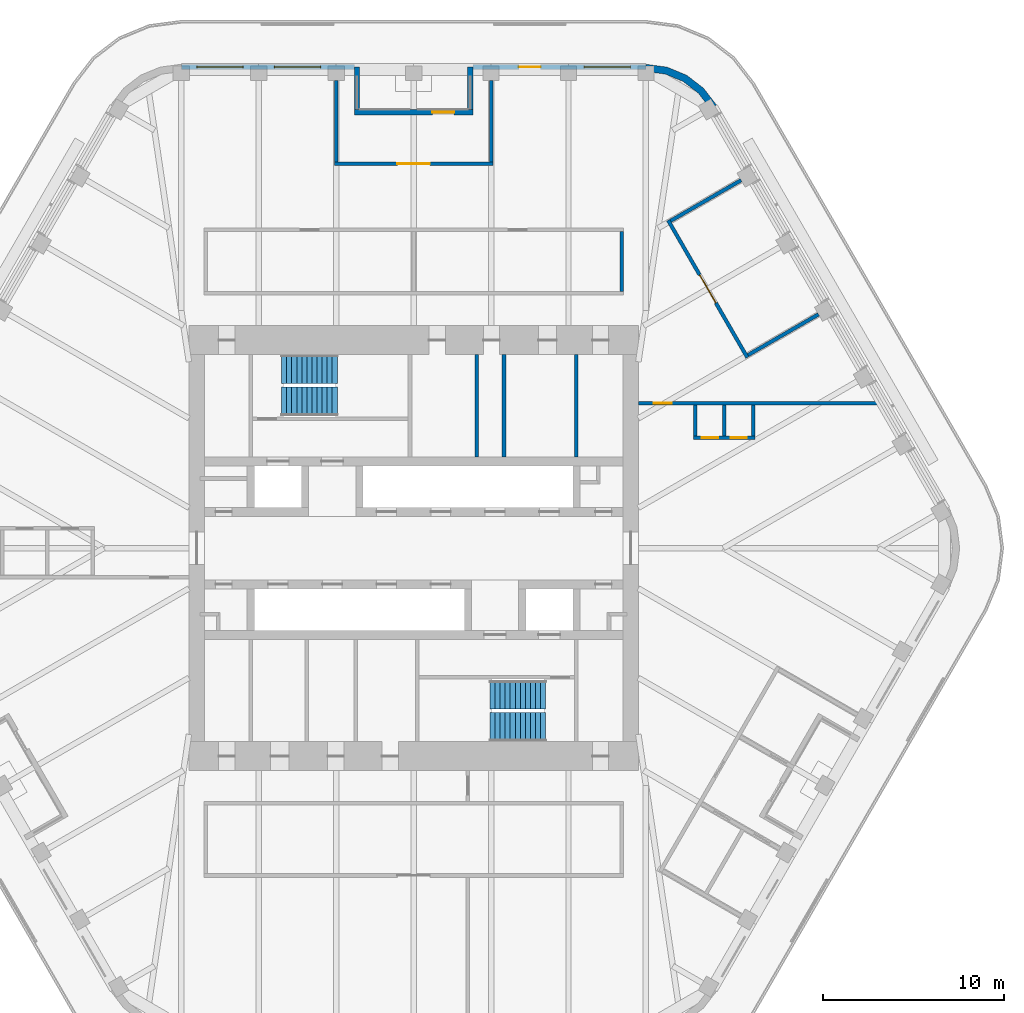
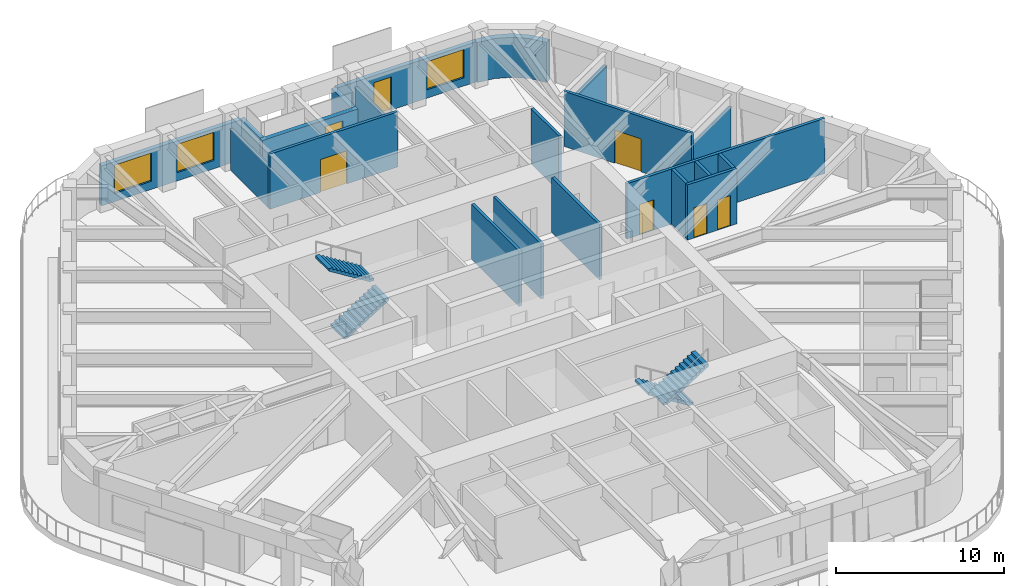
# One storey, part 16 of 19: 21 walls, 7 doors, 4 stair flights, 3 windows, 10 openings, 2 elements without a shape of their own.
"""IFC4 building model written with IfcOpenShell, lengths in metres."""

from ifc_helpers import new_model, si_unit, direction, frame, frame_2d, origin, place, context, subcontext, project, spatial, polyline, rectangle, outline, extrude, material, layer, layer_set, type_object, element, fill, aggregate, save


model = new_model("IFC4")

# Units and contexts
model_context = context("Model", 3, precision=1e-05, world=origin(), true_north=direction((0.0, 1.0)))
body_context = subcontext(model_context, "Body", "Model", "MODEL_VIEW")
ifc_project = project(units=[si_unit("LENGTHUNIT", "METRE"), si_unit("AREAUNIT", "SQUARE_METRE"), si_unit("VOLUMEUNIT", "CUBIC_METRE"), si_unit("PLANEANGLEUNIT", "RADIAN"), si_unit("MASSUNIT", "GRAM", prefix="KILO")], contexts=[model_context])

# Site, building, storey
site_placement = place(None, origin())
site = spatial("IfcSite", under=ifc_project, at=site_placement, CompositionType="ELEMENT")
building_placement = place(site_placement, origin())
building = spatial("IfcBuilding", under=site, at=building_placement, Name="Tarfa Lantern Tower", CompositionType="ELEMENT")
storey_placement = place(building_placement, frame((0.0, 0.0, 361.89990234375)))
storey = spatial("IfcBuildingStorey", under=building, at=storey_placement, Name="L82", CompositionType="ELEMENT", Elevation=361.89990234375)

# Wall, openings, door, window
ifc_material_1 = material(Name="Limestone cladding on blockwork", Category="masonry")
ifc_layer_1 = layer(ifc_material_1, 0.300048828125)
ifc_layer_set_1 = layer_set([ifc_layer_1], Name="EW1 STONE-CLAD WALL 300")
wall_type_1 = type_object("IfcWallType", Name="EW1 STONE-CLAD WALL 300", PredefinedType="SOLIDWALL", material=ifc_layer_set_1)
wall_1_placement = place(storey_placement, frame((12.845947265625, 26.60009765625, 0.0), z_axis=(0.0, 0.0, 1.0), x_axis=(-1.0, 0.0, 0.0)))
wall_1 = element("IfcWall", 1, at=wall_1_placement, inside=storey, type_object=wall_type_1, Name="Stone wall N", PredefinedType="SOLIDWALL", context=body_context, shape_type="SweptSolid", body=[
    extrude(rectangle(XDim=9.56396484375, YDim=0.300048828125, at=frame_2d((4.781982421875, 0.0))), origin(), (0.0, 0.0, 1.0), 2.900146484375),
])
opening_1_placement = place(wall_1_placement, frame((0.865966796875, 0.0, 0.60009765625)))
opening_1 = element("IfcOpeningElement", 2, at=opening_1_placement, cuts=wall_1, Name="Opening W17", PredefinedType="OPENING", context=body_context, shape_type="SweptSolid", body=[
    extrude(rectangle(XDim=2.550048828125, YDim=2.050048828125, at=frame_2d((1.27490234375, 1.02490234375))), frame((0.0, 0.159912109375, 0.0), z_axis=(0.0, -1.0, 0.0), x_axis=(1.0, 0.0, 0.0)), (0.0, 0.0, 1.0), 0.320068359375),
])
opening_2_placement = place(wall_1_placement, frame((5.822998046875, 0.0, 0.0)))
opening_2 = element("IfcOpeningElement", 3, at=opening_2_placement, cuts=wall_1, Name="Opening D38", PredefinedType="OPENING", context=body_context, shape_type="SweptSolid", body=[
    extrude(rectangle(XDim=1.199951171875, YDim=2.39990234375, at=frame_2d((0.60009765625, 1.199951171875))), frame((0.0, 0.159912109375, 0.0), z_axis=(0.0, -1.0, 0.0), x_axis=(1.0, 0.0, 0.0)), (0.0, 0.0, 1.0), 0.320068359375),
])
ifc_material_2 = material(Name="Aluminium framed glazed door", Category="aluminium")
door_type_1 = type_object("IfcDoorType", Name="BE3 BALCONY DOOR 1200x2400", OperationType="SINGLE_SWING_RIGHT", PredefinedType="DOOR", material=ifc_material_2)
door_1_placement = place(opening_2_placement, origin())
door_1 = element("IfcDoor", 4, at=door_1_placement, inside=storey, type_object=door_type_1, Name="Balcony door N", OperationType="SINGLE_SWING_LEFT", OverallHeight=2.39990234375, OverallWidth=1.199951171875, PredefinedType="DOOR", context=body_context, shape_type="SweptSolid", body=[
    extrude(rectangle(XDim=1.199951171875, YDim=2.39990234375, at=frame_2d((0.60009765625, 1.199951171875))), frame((0.0, 0.02490234375, 0.0), z_axis=(0.0, -1.0, 0.0), x_axis=(1.0, 0.0, 0.0)), (0.0, 0.0, 1.0), 0.050048828125),
])
fill(opening_2, door_1)
ifc_material_3 = material(Name="Aluminium frame, double glazed", Category="aluminium")
window_type = type_object("IfcWindowType", Name="W17 FULL-HEIGHT GLAZING 2550x2050", PartitioningType="SINGLE_PANEL", PredefinedType="WINDOW", material=ifc_material_3)
window_1_placement = place(opening_1_placement, origin())
window_1 = element("IfcWindow", 5, at=window_1_placement, inside=storey, type_object=window_type, Name="Window N 1", OverallHeight=2.050048828125, OverallWidth=2.550048828125, PartitioningType="SINGLE_PANEL", PredefinedType="WINDOW", context=body_context, shape_type="SweptSolid", body=[
    extrude(rectangle(XDim=2.550048828125, YDim=2.050048828125, at=frame_2d((1.27490234375, 1.02490234375))), frame((0.0, 0.030029296875, 0.0), z_axis=(0.0, -1.0, 0.0), x_axis=(1.0, 0.0, 0.0)), (0.0, 0.0, 1.0), 0.06005859375),
])
fill(opening_1, window_1)

# Wall, openings, windows
wall_2_placement = place(storey_placement, frame((-3.281982421875, 26.60009765625, 0.0), z_axis=(0.0, 0.0, 1.0), x_axis=(-1.0, 0.0, 0.0)))
wall_2 = element("IfcWall", 6, at=wall_2_placement, inside=storey, type_object=wall_type_1, Name="Stone wall NB", PredefinedType="SOLIDWALL", context=body_context, shape_type="SweptSolid", body=[
    extrude(rectangle(XDim=9.56396484375, YDim=0.300048828125, at=frame_2d((4.781982421875, 0.0))), origin(), (0.0, 0.0, 1.0), 2.900146484375),
])
opening_3_placement = place(wall_2_placement, frame((1.865966796875, 0.0, 0.60009765625)))
opening_3 = element("IfcOpeningElement", 7, at=opening_3_placement, cuts=wall_2, Name="Opening W17", PredefinedType="OPENING", context=body_context, shape_type="SweptSolid", body=[
    extrude(rectangle(XDim=2.550048828125, YDim=2.050048828125, at=frame_2d((1.27490234375, 1.02490234375))), frame((0.0, 0.159912109375, 0.0), z_axis=(0.0, -1.0, 0.0), x_axis=(1.0, 0.0, 0.0)), (0.0, 0.0, 1.0), 0.320068359375),
])
opening_4_placement = place(wall_2_placement, frame((6.14794921875, 0.0, 0.60009765625)))
opening_4 = element("IfcOpeningElement", 8, at=opening_4_placement, cuts=wall_2, Name="Opening W17", PredefinedType="OPENING", context=body_context, shape_type="SweptSolid", body=[
    extrude(rectangle(XDim=2.550048828125, YDim=2.050048828125, at=frame_2d((1.27490234375, 1.02490234375))), frame((0.0, 0.159912109375, 0.0), z_axis=(0.0, -1.0, 0.0), x_axis=(1.0, 0.0, 0.0)), (0.0, 0.0, 1.0), 0.320068359375),
])
window_2_placement = place(opening_3_placement, origin())
window_2 = element("IfcWindow", 9, at=window_2_placement, inside=storey, type_object=window_type, Name="Window NB 1", OverallHeight=2.050048828125, OverallWidth=2.550048828125, PartitioningType="SINGLE_PANEL", PredefinedType="WINDOW", context=body_context, shape_type="SweptSolid", body=[
    extrude(rectangle(XDim=2.550048828125, YDim=2.050048828125, at=frame_2d((1.27490234375, 1.02490234375))), frame((0.0, 0.030029296875, 0.0), z_axis=(0.0, -1.0, 0.0), x_axis=(1.0, 0.0, 0.0)), (0.0, 0.0, 1.0), 0.06005859375),
])
fill(opening_3, window_2)
window_3_placement = place(opening_4_placement, origin())
window_3 = element("IfcWindow", 10, at=window_3_placement, inside=storey, type_object=window_type, Name="Window NB 2", OverallHeight=2.050048828125, OverallWidth=2.550048828125, PartitioningType="SINGLE_PANEL", PredefinedType="WINDOW", context=body_context, shape_type="SweptSolid", body=[
    extrude(rectangle(XDim=2.550048828125, YDim=2.050048828125, at=frame_2d((1.27490234375, 1.02490234375))), frame((0.0, 0.030029296875, 0.0), z_axis=(0.0, -1.0, 0.0), x_axis=(1.0, 0.0, 0.0)), (0.0, 0.0, 1.0), 0.06005859375),
])
fill(opening_4, window_3)

# Walls
for number, where, z_axis, x_axis, name in (
    (11, (3.132080078125, 26.60009765625, 0.0), (0.0, 0.0, 1.0), (0.0, -1.0, 0.0), "Terrace return N 1"),
    (12, (-3.132080078125, 26.60009765625, 0.0), (0.0, 0.0, 1.0), (0.0, -1.0, 0.0), "Terrace return N 2"),
):
    element("IfcWall", number, at=place(storey_placement, frame(where, z_axis=z_axis, x_axis=x_axis)), inside=storey, type_object=wall_type_1, Name=name, PredefinedType="SOLIDWALL", context=body_context, shape_type="SweptSolid", body=[
        extrude(rectangle(XDim=2.35009765625, YDim=0.300048828125, at=frame_2d((1.175048828125, 0.0))), origin(), (0.0, 0.0, 1.0), 2.900146484375),
    ])

# Wall, opening, door
wall_3_placement = place(storey_placement, frame((3.281982421875, 24.10009765625, 0.0), z_axis=(0.0, 0.0, 1.0), x_axis=(-1.0, 0.0, 0.0)))
wall_3 = element("IfcWall", 13, at=wall_3_placement, inside=storey, type_object=wall_type_1, Name="Stone wall NS", PredefinedType="SOLIDWALL", context=body_context, shape_type="SweptSolid", body=[
    extrude(rectangle(XDim=6.56396484375, YDim=0.300048828125, at=frame_2d((3.281982421875, 0.0))), origin(), (0.0, 0.0, 1.0), 2.900146484375),
])
opening_5_placement = place(wall_3_placement, frame((1.041015625, 0.0, 0.0)))
opening_5 = element("IfcOpeningElement", 14, at=opening_5_placement, cuts=wall_3, Name="Opening D39", PredefinedType="OPENING", context=body_context, shape_type="SweptSolid", body=[
    extrude(rectangle(XDim=1.199951171875, YDim=2.39990234375, at=frame_2d((0.60009765625, 1.199951171875))), frame((0.0, 0.159912109375, 0.0), z_axis=(0.0, -1.0, 0.0), x_axis=(1.0, 0.0, 0.0)), (0.0, 0.0, 1.0), 0.320068359375),
])
door_2_placement = place(opening_5_placement, origin())
door_2 = element("IfcDoor", 15, at=door_2_placement, inside=storey, type_object=door_type_1, Name="Balcony door NS", OperationType="SINGLE_SWING_RIGHT", OverallHeight=2.39990234375, OverallWidth=1.199951171875, PredefinedType="DOOR", context=body_context, shape_type="SweptSolid", body=[
    extrude(rectangle(XDim=1.199951171875, YDim=2.39990234375, at=frame_2d((0.60009765625, 1.199951171875))), frame((0.0, 0.02490234375, 0.0), z_axis=(0.0, -1.0, 0.0), x_axis=(1.0, 0.0, 0.0)), (0.0, 0.0, 1.0), 0.050048828125),
])
fill(opening_5, door_2)

# Walls
ifc_layer_2 = layer(ifc_material_1, 0.39990234375)
ifc_layer_set_2 = layer_set([ifc_layer_2], Name="EW2 CURVED STONE CORNER 400")
wall_type_2 = type_object("IfcWallType", Name="EW2 CURVED STONE CORNER 400", PredefinedType="SOLIDWALL", material=ifc_layer_set_2)
wall_4_placement = place(storey_placement, origin())
element("IfcWall", 16, at=wall_4_placement, inside=storey, type_object=wall_type_2, Name="Stone corner NE-N", PredefinedType="SOLIDWALL", context=body_context, shape_type="SweptSolid", body=[
    extrude(outline(polyline([(16.7431640625, 24.5), (16.028076171875, 25.431884765625), (15.095947265625, 26.147216796875), (14.0107421875, 26.5966796875), (12.845947265625, 26.75), (12.845947265625, 26.35009765625), (13.9072265625, 26.210205078125), (14.89599609375, 25.80078125), (15.7451171875, 25.149169921875), (16.396728515625, 24.300048828125), (16.7431640625, 24.5)])), origin(), (0.0, 0.0, 1.0), 2.900146484375),
])
ifc_material_4 = material(Name="Concrete blockwork", Category="masonry")
ifc_layer_3 = layer(ifc_material_4, 0.199951171875)
ifc_layer_set_3 = layer_set([ifc_layer_3], Name="IW1 BLOCKWORK PARTITION 200 EI 120")
wall_type_3 = type_object("IfcWallType", Name="IW1 BLOCKWORK PARTITION 200 EI 120", PredefinedType="PARTITIONING", material=ifc_layer_set_3)
for number, where, z_axis, x_axis, name in (
    (17, (9.0, 5.050048828125, 0.0), (0.0, 0.0, 1.0), (0.0, 1.0, 0.0), "Core partition"),
    (18, (3.5, 5.050048828125, 0.0), (0.0, 0.0, 1.0), (0.0, 1.0, 0.0), "Core partition"),
    (19, (5.0, 5.050048828125, 0.0), (0.0, 0.0, 1.0), (0.0, 1.0, 0.0), "Core partition"),
):
    element("IfcWall", number, at=place(storey_placement, frame(where, z_axis=z_axis, x_axis=x_axis)), inside=storey, type_object=wall_type_3, Name=name, PredefinedType="PARTITIONING", context=body_context, shape_type="SweptSolid", body=[
        extrude(rectangle(XDim=5.64990234375, YDim=0.199951171875, at=frame_2d((2.824951171875, 0.0))), origin(), (0.0, 0.0, 1.0), 4.0),
    ])
ifc_material_5 = material(Name="Gypsum board on steel studs", Category="steel")
ifc_layer_4 = layer(ifc_material_5, 0.2099609375)
ifc_layer_set_4 = layer_set([ifc_layer_4], Name="IW2 ACOUSTIC PARTITION 200")
wall_type_4 = type_object("IfcWallType", Name="IW2 ACOUSTIC PARTITION 200", PredefinedType="PARTITIONING", material=ifc_layer_set_4)
wall_5_placement = place(storey_placement, frame((11.5, 14.199951171875, 0.0), z_axis=(0.0, 0.0, 1.0), x_axis=(0.0, 1.0, 0.0)))
element("IfcWall", 20, at=wall_5_placement, inside=storey, type_object=wall_type_4, Name="Partition", PredefinedType="PARTITIONING", context=body_context, shape_type="SweptSolid", body=[
    extrude(rectangle(XDim=3.300048828125, YDim=0.199951171875, at=frame_2d((1.64990234375, 0.0))), origin(), (0.0, 0.0, 1.0), 4.0),
])

# Wall, opening, door
wall_6_placement = place(storey_placement, frame((4.382080078125, 21.25, 0.0), z_axis=(0.0, 0.0, 1.0), x_axis=(-1.0, 0.0, 0.0)))
wall_6 = element("IfcWall", 21, at=wall_6_placement, inside=storey, type_object=wall_type_4, Name="Partition", PredefinedType="PARTITIONING", context=body_context, shape_type="SweptSolid", body=[
    extrude(rectangle(XDim=8.76416015625, YDim=0.199951171875, at=frame_2d((4.382080078125, 0.0))), origin(), (0.0, 0.0, 1.0), 4.0),
])
opening_6_placement = place(wall_6_placement, frame((3.48193359375, 0.0, 0.0)))
opening_6 = element("IfcOpeningElement", 22, at=opening_6_placement, cuts=wall_6, Name="Opening D21", PredefinedType="OPENING", context=body_context, shape_type="SweptSolid", body=[
    extrude(rectangle(XDim=1.800048828125, YDim=2.39990234375, at=frame_2d((0.89990234375, 1.199951171875))), frame((0.0, 0.10986328125, 0.0), z_axis=(0.0, -1.0, 0.0), x_axis=(1.0, 0.0, 0.0)), (0.0, 0.0, 1.0), 0.219970703125),
])
ifc_material_6 = material(Name="Timber door", Category="wood")
door_type_2 = type_object("IfcDoorType", Name="DR2 ROOM DOOR 1800x2400", OperationType="DOUBLE_DOOR_SINGLE_SWING", PredefinedType="DOOR", material=ifc_material_6)
door_3_placement = place(opening_6_placement, frame((1.800048828125, 0.0, 0.0), z_axis=(0.0, 0.0, 1.0), x_axis=(-1.0, 0.0, 0.0)))
door_3 = element("IfcDoor", 23, at=door_3_placement, inside=storey, type_object=door_type_2, Name="Briefing room door", OperationType="DOUBLE_DOOR_SINGLE_SWING", OverallHeight=2.39990234375, OverallWidth=1.800048828125, PredefinedType="DOOR", context=body_context, shape_type="SweptSolid", body=[
    extrude(rectangle(XDim=1.800048828125, YDim=2.39990234375, at=frame_2d((0.89990234375, 1.199951171875))), frame((0.0, 0.02490234375, 0.0), z_axis=(0.0, -1.0, 0.0), x_axis=(1.0, 0.0, 0.0)), (0.0, 0.0, 1.0), 0.050048828125),
])
fill(opening_6, door_3)

# Walls
for number, where, z_axis, x_axis, name in (
    (24, (4.281982421875, 21.35009765625, 0.0), (0.0, 0.0, 1.0), (0.0, 1.0, 0.0), "Partition"),
    (25, (-4.281982421875, 21.35009765625, 0.0), (0.0, 0.0, 1.0), (0.0, 1.0, 0.0), "Partition"),
):
    element("IfcWall", number, at=place(storey_placement, frame(where, z_axis=z_axis, x_axis=x_axis)), inside=storey, type_object=wall_type_4, Name=name, PredefinedType="PARTITIONING", context=body_context, shape_type="SweptSolid", body=[
        extrude(rectangle(XDim=4.5, YDim=0.199951171875, at=frame_2d((2.25, 0.0))), origin(), (0.0, 0.0, 1.0), 2.991943359375),
    ])

# Wall, opening, door
wall_7_placement = place(storey_placement, frame((18.453125, 10.538330078125, 0.0), z_axis=(0.0, 0.0, 1.0), x_axis=(-0.500006995557, 0.86602136486, 0.0)))
wall_7 = element("IfcWall", 26, at=wall_7_placement, inside=storey, type_object=wall_type_4, Name="Partition", PredefinedType="PARTITIONING", context=body_context, shape_type="SweptSolid", body=[
    extrude(rectangle(XDim=8.763916015625, YDim=0.199951171875, at=frame_2d((4.3818359375, 0.0))), origin(), (0.0, 0.0, 1.0), 4.0),
])
opening_7_placement = place(wall_7_placement, frame((3.48193359375, 0.0, 0.0)))
opening_7 = element("IfcOpeningElement", 27, at=opening_7_placement, cuts=wall_7, Name="Opening D22", PredefinedType="OPENING", context=body_context, shape_type="SweptSolid", body=[
    extrude(rectangle(XDim=1.800048828125, YDim=2.39990234375, at=frame_2d((0.89990234375, 1.199951171875))), frame((0.0, 0.10986328125, 0.0), z_axis=(0.0, -1.0, 0.0), x_axis=(1.0, 0.0, 0.0)), (0.0, 0.0, 1.0), 0.219970703125),
])
door_4_placement = place(opening_7_placement, frame((1.800048828125, 0.0, 0.0), z_axis=(0.0, 0.0, 1.0), x_axis=(-1.0, 0.0, 0.0)))
door_4 = element("IfcDoor", 28, at=door_4_placement, inside=storey, type_object=door_type_2, Name="Majlis door", OperationType="DOUBLE_DOOR_SINGLE_SWING", OverallHeight=2.39990234375, OverallWidth=1.800048828125, PredefinedType="DOOR", context=body_context, shape_type="SweptSolid", body=[
    extrude(rectangle(XDim=1.800048828125, YDim=2.39990234375, at=frame_2d((0.89990234375, 1.199951171875))), frame((0.0, 0.02490234375, 0.0), z_axis=(0.0, -1.0, 0.0), x_axis=(1.0, 0.0, 0.0)), (0.0, 0.0, 1.0), 0.050048828125),
])
fill(opening_7, door_4)

# Walls
wall_8_placement = place(storey_placement, frame((18.48974609375, 10.675048828125, 0.0), z_axis=(0.0, 0.0, 1.0), x_axis=(0.866017533419, 0.500013631625, 0.0)))
element("IfcWall", 29, at=wall_8_placement, inside=storey, type_object=wall_type_4, Name="Partition", PredefinedType="PARTITIONING", context=body_context, shape_type="SweptSolid", body=[
    extrude(rectangle(XDim=4.499755859375, YDim=0.199951171875, at=frame_2d((2.25, 0.0))), origin(), (0.0, 0.0, 1.0), 3.081787109375),
])
wall_9_placement = place(storey_placement, frame((14.20751953125, 18.091552734375, 0.0), z_axis=(0.0, 0.0, 1.0), x_axis=(0.866031096941, 0.499990139034, 0.0)))
element("IfcWall", 30, at=wall_9_placement, inside=storey, type_object=wall_type_4, Name="Partition", PredefinedType="PARTITIONING", context=body_context, shape_type="SweptSolid", body=[
    extrude(rectangle(XDim=4.5, YDim=0.199951171875, at=frame_2d((2.25, 0.0))), origin(), (0.0, 0.0, 1.0), 3.081787109375),
])

# Wall, opening, door
wall_10_placement = place(storey_placement, frame((12.425048828125, 8.0, 0.0), z_axis=(0.0, 0.0, 1.0), x_axis=(1.0, 0.0, 0.0)))
wall_10 = element("IfcWall", 31, at=wall_10_placement, inside=storey, type_object=wall_type_4, Name="Partition", PredefinedType="PARTITIONING", context=body_context, shape_type="SweptSolid", body=[
    extrude(rectangle(XDim=13.59033203125, YDim=0.199951171875, at=frame_2d((6.795166015625, 0.0))), origin(), (0.0, 0.0, 1.0), 4.0),
])
opening_8_placement = place(wall_10_placement, frame((0.859130859375, 0.0, 0.0)))
opening_8 = element("IfcOpeningElement", 32, at=opening_8_placement, cuts=wall_10, Name="Opening D35", PredefinedType="OPENING", context=body_context, shape_type="SweptSolid", body=[
    extrude(rectangle(XDim=1.0, YDim=2.199951171875, at=frame_2d((0.5, 1.10009765625))), frame((0.0, 0.10986328125, 0.0), z_axis=(0.0, -1.0, 0.0), x_axis=(1.0, 0.0, 0.0)), (0.0, 0.0, 1.0), 0.219970703125),
])
door_type_3 = type_object("IfcDoorType", Name="DR1 ROOM DOOR 1000x2200", OperationType="SINGLE_SWING_LEFT", PredefinedType="DOOR", material=ifc_material_6)
door_5_placement = place(opening_8_placement, frame((1.0, 0.0, 0.0), z_axis=(0.0, 0.0, 1.0), x_axis=(-1.0, 0.0, 0.0)))
door_5 = element("IfcDoor", 33, at=door_5_placement, inside=storey, type_object=door_type_3, Name="Zone door", OperationType="SINGLE_SWING_LEFT", OverallHeight=2.199951171875, OverallWidth=1.0, PredefinedType="DOOR", context=body_context, shape_type="SweptSolid", body=[
    extrude(rectangle(XDim=1.0, YDim=2.199951171875, at=frame_2d((0.5, 1.10009765625))), frame((0.0, 0.02490234375, 0.0), z_axis=(0.0, -1.0, 0.0), x_axis=(1.0, 0.0, 0.0)), (0.0, 0.0, 1.0), 0.050048828125),
])
fill(opening_8, door_5)

# Wall, openings, doors
wall_11_placement = place(storey_placement, frame((15.481689453125, 6.10009765625, 0.0), z_axis=(0.0, 0.0, 1.0), x_axis=(1.0, 0.0, 0.0)))
wall_11 = element("IfcWall", 34, at=wall_11_placement, inside=storey, type_object=wall_type_4, Name="Partition", PredefinedType="PARTITIONING", context=body_context, shape_type="SweptSolid", body=[
    extrude(rectangle(XDim=3.39990234375, YDim=0.199951171875, at=frame_2d((1.699951171875, 0.0))), origin(), (0.0, 0.0, 1.0), 4.0),
])
opening_9_placement = place(wall_11_placement, frame((0.449951171875, 0.0, 0.0)))
opening_9 = element("IfcOpeningElement", 35, at=opening_9_placement, cuts=wall_11, Name="Opening D33", PredefinedType="OPENING", context=body_context, shape_type="SweptSolid", body=[
    extrude(rectangle(XDim=0.89990234375, YDim=2.199951171875, at=frame_2d((0.449951171875, 1.10009765625))), frame((0.0, 0.10986328125, 0.0), z_axis=(0.0, -1.0, 0.0), x_axis=(1.0, 0.0, 0.0)), (0.0, 0.0, 1.0), 0.219970703125),
])
opening_10_placement = place(wall_11_placement, frame((2.050048828125, 0.0, 0.0)))
opening_10 = element("IfcOpeningElement", 36, at=opening_10_placement, cuts=wall_11, Name="Opening D34", PredefinedType="OPENING", context=body_context, shape_type="SweptSolid", body=[
    extrude(rectangle(XDim=0.89990234375, YDim=2.199951171875, at=frame_2d((0.449951171875, 1.10009765625))), frame((0.0, 0.10986328125, 0.0), z_axis=(0.0, -1.0, 0.0), x_axis=(1.0, 0.0, 0.0)), (0.0, 0.0, 1.0), 0.219970703125),
])
door_type_4 = type_object("IfcDoorType", Name="DR3 ROOM DOOR 900x2200", OperationType="SINGLE_SWING_LEFT", PredefinedType="DOOR", material=ifc_material_6)
door_6_placement = place(opening_9_placement, origin())
door_6 = element("IfcDoor", 37, at=door_6_placement, inside=storey, type_object=door_type_4, Name="Phone booth door", OperationType="SINGLE_SWING_RIGHT", OverallHeight=2.199951171875, OverallWidth=0.89990234375, PredefinedType="DOOR", context=body_context, shape_type="SweptSolid", body=[
    extrude(rectangle(XDim=0.89990234375, YDim=2.199951171875, at=frame_2d((0.449951171875, 1.10009765625))), frame((0.0, 0.02490234375, 0.0), z_axis=(0.0, -1.0, 0.0), x_axis=(1.0, 0.0, 0.0)), (0.0, 0.0, 1.0), 0.050048828125),
])
fill(opening_9, door_6)
door_7_placement = place(opening_10_placement, origin())
door_7 = element("IfcDoor", 38, at=door_7_placement, inside=storey, type_object=door_type_4, Name="Phone booth door", OperationType="SINGLE_SWING_LEFT", OverallHeight=2.199951171875, OverallWidth=0.89990234375, PredefinedType="DOOR", context=body_context, shape_type="SweptSolid", body=[
    extrude(rectangle(XDim=0.89990234375, YDim=2.199951171875, at=frame_2d((0.449951171875, 1.10009765625))), frame((0.0, 0.02490234375, 0.0), z_axis=(0.0, -1.0, 0.0), x_axis=(1.0, 0.0, 0.0)), (0.0, 0.0, 1.0), 0.050048828125),
])
fill(opening_10, door_7)

# Walls
for number, where, z_axis, x_axis, name in (
    (39, (15.58154296875, 7.89990234375, 0.0), (0.0, 0.0, 1.0), (0.0, -1.0, 0.0), "Partition"),
    (40, (17.181640625, 7.89990234375, 0.0), (0.0, 0.0, 1.0), (0.0, -1.0, 0.0), "Partition"),
    (41, (18.781494140625, 7.89990234375, 0.0), (0.0, 0.0, 1.0), (0.0, -1.0, 0.0), "Partition"),
):
    element("IfcWall", number, at=place(storey_placement, frame(where, z_axis=z_axis, x_axis=x_axis)), inside=storey, type_object=wall_type_4, Name=name, PredefinedType="PARTITIONING", context=body_context, shape_type="SweptSolid", body=[
        extrude(rectangle(XDim=1.699951171875, YDim=0.199951171875, at=frame_2d((0.85009765625, 0.0))), origin(), (0.0, 0.0, 1.0), 4.0),
    ])

# Stair, stair flights
ifc_material_7 = material(Name="Concrete C40/50", Category="concrete")
stair_type = type_object("IfcStairType", Name="ST-T10 HALF-TURN STAIR 4200 RISE", PredefinedType="HALF_TURN_STAIR", material=ifc_material_7)
stair_1_placement = place(storey_placement, origin())
stair_1 = element("IfcStair", 42, at=stair_1_placement, inside=storey, type_object=stair_type, Name="Stair ST1", PredefinedType="HALF_TURN_STAIR")
stair_flight_type = type_object("IfcStairFlightType", Name="SF1 STAIR FLIGHT", PredefinedType="STRAIGHT", material=ifc_material_7)
stair_flight_1_placement = place(storey_placement, frame((-7.300048828125, 8.10009765625, 0.0), z_axis=(0.0, 0.0, 1.0), x_axis=(1.0, 0.0, 0.0)))
stair_flight_1 = element("IfcStairFlight", 43, at=stair_flight_1_placement, type_object=stair_flight_type, Name="ST1 flight 1", NumberOfRisers=12, NumberOfTreads=11, PredefinedType="STRAIGHT", RiserHeight=0.175, TreadLength=0.28, context=body_context, shape_type="SweptSolid", body=[
    extrude(outline(polyline([(0.0, 0.0), (0.0, 0.175048828125), (0.280029296875, 0.175048828125), (0.280029296875, 0.35009765625), (0.56005859375, 0.35009765625), (0.56005859375, 0.52490234375), (0.840087890625, 0.52490234375), (0.840087890625, 0.699951171875), (1.1201171875, 0.699951171875), (1.1201171875, 0.875), (1.39990234375, 0.875), (1.39990234375, 1.050048828125), (1.679931640625, 1.050048828125), (1.679931640625, 1.22509765625), (1.9599609375, 1.22509765625), (1.9599609375, 1.39990234375), (2.239990234375, 1.39990234375), (2.239990234375, 1.574951171875), (2.52001953125, 1.574951171875), (2.52001953125, 1.75), (2.800048828125, 1.75), (2.800048828125, 1.925048828125), (3.080078125, 1.925048828125), (3.080078125, 2.10009765625), (3.080078125, 1.748291015625), (0.28271484375, 0.0), (0.0, 0.0)])), frame((0.0, 0.800048828125, 0.0), z_axis=(0.0, -1.0, 0.0), x_axis=(1.0, 0.0, 0.0)), (0.0, 0.0, 1.0), 1.60009765625),
])
stair_flight_2_placement = place(storey_placement, frame((-4.219970703125, 9.89990234375, 2.10009765625), z_axis=(0.0, 0.0, 1.0), x_axis=(-1.0, 0.0, 0.0)))
stair_flight_2 = element("IfcStairFlight", 44, at=stair_flight_2_placement, type_object=stair_flight_type, Name="ST1 flight 2", NumberOfRisers=12, NumberOfTreads=11, PredefinedType="STRAIGHT", RiserHeight=0.175, TreadLength=0.28, context=body_context, shape_type="SweptSolid", body=[
    extrude(outline(polyline([(0.0, 0.0), (0.0, 0.175048828125), (0.280029296875, 0.175048828125), (0.280029296875, 0.35009765625), (0.56005859375, 0.35009765625), (0.56005859375, 0.52490234375), (0.840087890625, 0.52490234375), (0.840087890625, 0.699951171875), (1.1201171875, 0.699951171875), (1.1201171875, 0.875), (1.39990234375, 0.875), (1.39990234375, 1.050048828125), (1.679931640625, 1.050048828125), (1.679931640625, 1.22509765625), (1.9599609375, 1.22509765625), (1.9599609375, 1.39990234375), (2.239990234375, 1.39990234375), (2.239990234375, 1.574951171875), (2.52001953125, 1.574951171875), (2.52001953125, 1.75), (2.800048828125, 1.75), (2.800048828125, 1.925048828125), (3.080078125, 1.925048828125), (3.080078125, 2.10009765625), (3.080078125, 1.748291015625), (0.28271484375, 0.0), (0.0, 0.0)])), frame((0.0, 0.800048828125, 0.0), z_axis=(0.0, -1.0, 0.0), x_axis=(1.0, 0.0, 0.0)), (0.0, 0.0, 1.0), 1.60009765625),
])
aggregate(stair_1, [stair_flight_1, stair_flight_2])

stair_2_placement = place(storey_placement, origin())
stair_2 = element("IfcStair", 45, at=stair_2_placement, inside=storey, type_object=stair_type, Name="Stair ST2", PredefinedType="HALF_TURN_STAIR")
stair_flight_3_placement = place(storey_placement, frame((7.300048828125, -8.10009765625, 0.0), z_axis=(0.0, 0.0, 1.0), x_axis=(-1.0, 0.0, 0.0)))
stair_flight_3 = element("IfcStairFlight", 46, at=stair_flight_3_placement, type_object=stair_flight_type, Name="ST2 flight 1", NumberOfRisers=12, NumberOfTreads=11, PredefinedType="STRAIGHT", RiserHeight=0.175, TreadLength=0.28, context=body_context, shape_type="SweptSolid", body=[
    extrude(outline(polyline([(0.0, 0.0), (0.0, 0.175048828125), (0.280029296875, 0.175048828125), (0.280029296875, 0.35009765625), (0.56005859375, 0.35009765625), (0.56005859375, 0.52490234375), (0.840087890625, 0.52490234375), (0.840087890625, 0.699951171875), (1.1201171875, 0.699951171875), (1.1201171875, 0.875), (1.39990234375, 0.875), (1.39990234375, 1.050048828125), (1.679931640625, 1.050048828125), (1.679931640625, 1.22509765625), (1.9599609375, 1.22509765625), (1.9599609375, 1.39990234375), (2.239990234375, 1.39990234375), (2.239990234375, 1.574951171875), (2.52001953125, 1.574951171875), (2.52001953125, 1.75), (2.800048828125, 1.75), (2.800048828125, 1.925048828125), (3.080078125, 1.925048828125), (3.080078125, 2.10009765625), (3.080078125, 1.748291015625), (0.28271484375, 0.0), (0.0, 0.0)])), frame((0.0, 0.800048828125, 0.0), z_axis=(0.0, -1.0, 0.0), x_axis=(1.0, 0.0, 0.0)), (0.0, 0.0, 1.0), 1.60009765625),
])
stair_flight_4_placement = place(storey_placement, frame((4.219970703125, -9.89990234375, 2.10009765625), z_axis=(0.0, 0.0, 1.0), x_axis=(1.0, 0.0, 0.0)))
stair_flight_4 = element("IfcStairFlight", 47, at=stair_flight_4_placement, type_object=stair_flight_type, Name="ST2 flight 2", NumberOfRisers=12, NumberOfTreads=11, PredefinedType="STRAIGHT", RiserHeight=0.175, TreadLength=0.28, context=body_context, shape_type="SweptSolid", body=[
    extrude(outline(polyline([(0.0, 0.0), (0.0, 0.175048828125), (0.280029296875, 0.175048828125), (0.280029296875, 0.35009765625), (0.56005859375, 0.35009765625), (0.56005859375, 0.52490234375), (0.840087890625, 0.52490234375), (0.840087890625, 0.699951171875), (1.1201171875, 0.699951171875), (1.1201171875, 0.875), (1.39990234375, 0.875), (1.39990234375, 1.050048828125), (1.679931640625, 1.050048828125), (1.679931640625, 1.22509765625), (1.9599609375, 1.22509765625), (1.9599609375, 1.39990234375), (2.239990234375, 1.39990234375), (2.239990234375, 1.574951171875), (2.52001953125, 1.574951171875), (2.52001953125, 1.75), (2.800048828125, 1.75), (2.800048828125, 1.925048828125), (3.080078125, 1.925048828125), (3.080078125, 2.10009765625), (3.080078125, 1.748291015625), (0.28271484375, 0.0), (0.0, 0.0)])), frame((0.0, 0.800048828125, 0.0), z_axis=(0.0, -1.0, 0.0), x_axis=(1.0, 0.0, 0.0)), (0.0, 0.0, 1.0), 1.60009765625),
])
aggregate(stair_2, [stair_flight_3, stair_flight_4])

save(model, "model.ifc")
